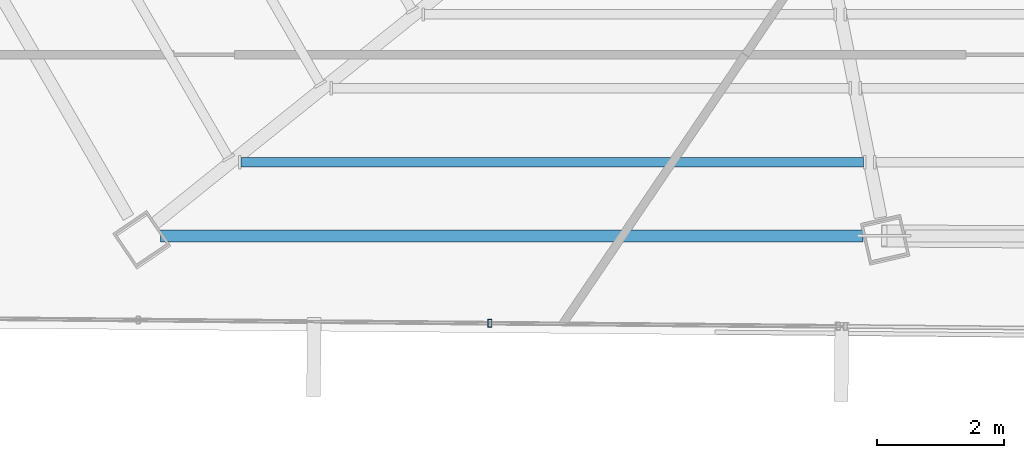
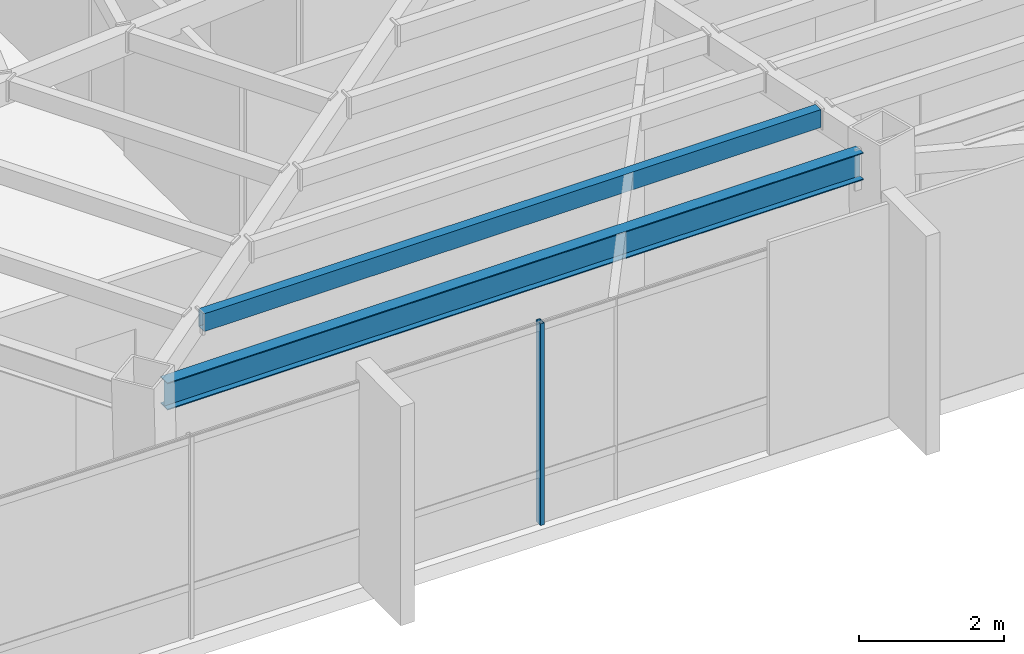
# One storey, part 5 of 47: 2 beams, 1 member, 1 element without a shape of its own.
"""IFC4 building model written with IfcOpenShell, lengths in metres."""

from ifc_helpers import new_model, si_unit, direction, frame, origin, origin_2d, place, context, subcontext, project, spatial, hollow_rectangle, i_section, extrude, source, transform, mapped, material, material_profile, profile_set, type_object, type_shapes, element, aggregate, save


model = new_model("IFC4")

# Units and contexts
model_context = context("Model", 3, precision=1e-05, world=origin(), true_north=direction((0.0, 1.0)))
body_context = subcontext(model_context, "Body", "Model", "MODEL_VIEW")
ifc_project = project(units=[si_unit("LENGTHUNIT", "METRE"), si_unit("AREAUNIT", "SQUARE_METRE"), si_unit("VOLUMEUNIT", "CUBIC_METRE"), si_unit("PLANEANGLEUNIT", "RADIAN"), si_unit("MASSUNIT", "GRAM", prefix="KILO")], contexts=[model_context])

# Site, building, storey
site_placement = place(None, origin())
site = spatial("IfcSite", under=ifc_project, at=site_placement, CompositionType="ELEMENT")
building_placement = place(site_placement, origin())
building = spatial("IfcBuilding", under=site, at=building_placement, Name="Caelisora Broadcast Tower", CompositionType="ELEMENT")
storey_placement = place(building_placement, frame((0.0, 0.0, 248.10009765625)))
storey = spatial("IfcBuildingStorey", under=building, at=storey_placement, Name="L65", CompositionType="ELEMENT", Elevation=248.10009765625)

# Beams
ifc_material_1 = material(Name="Steel Grade 350 (AS/NZS 3679.1)", Category="steel")
ifc_material_profile_1 = material_profile(ifc_material_1, i_section(OverallWidth=0.19091796875, OverallDepth=0.46044921875, WebThickness=0.010009765625, FlangeThickness=0.01611328125, at=origin_2d()), Name="Steel Grade 350 (AS/NZS 3679.1)")
ifc_profile_set_1 = profile_set([ifc_material_profile_1], Name="Steel Grade 350 (AS/NZS 3679.1)")
beam_type_1 = type_object("IfcBeamType", Name="PG06", PredefinedType="BEAM", material=ifc_profile_set_1)
shared_shape_1 = source(origin(), body_context, "Body", "SweptSolid", [
    extrude(i_section(OverallWidth=0.19091796875, OverallDepth=0.46044921875, WebThickness=0.010009765625, FlangeThickness=0.01611328125, at=origin_2d()), origin(), (0.0, 0.0, 1.0), 11.091552734375),
])
type_shapes(beam_type_1, [shared_shape_1])
beam_1_placement = place(storey_placement, frame((20.686767578125, 9.23974609375, 3.169677734375), z_axis=(1.0, 0.0, 0.0), x_axis=(0.0, 1.0, 0.0)))
element("IfcBeam", 1, at=beam_1_placement, inside=storey, type_object=beam_type_1, Name="L65 beam PG06", PredefinedType="BEAM", context=body_context, shape_type="MappedRepresentation", body=[
    mapped(shared_shape_1, transform((0.0, 0.0, 0.0), scale=1.0)),
])
ifc_material_2 = material(Name="Steel Grade 350 (AS/NZS 1163 C350L0)", Category="steel")
ifc_material_profile_2 = material_profile(ifc_material_2, hollow_rectangle(XDim=0.14990234375, YDim=0.300048828125, WallThickness=0.010009765625, at=origin_2d()), Name="Steel Grade 350 (AS/NZS 1163 C350L0)")
ifc_profile_set_2 = profile_set([ifc_material_profile_2], Name="Steel Grade 350 (AS/NZS 1163 C350L0)")
beam_type_2 = type_object("IfcBeamType", Name="SB05", PredefinedType="JOIST", material=ifc_profile_set_2)
shared_shape_2 = source(origin(), body_context, "Body", "SweptSolid", [
    extrude(hollow_rectangle(XDim=0.14990234375, YDim=0.300048828125, WallThickness=0.010009765625, at=origin_2d()), origin(), (0.0, 0.0, 1.0), 9.8310546875),
])
type_shapes(beam_type_2, [shared_shape_2])
beam_2_placement = place(storey_placement, frame((21.95556640625, 10.405517578125, 3.25), z_axis=(1.0, 0.0, 0.0), x_axis=(0.0, 1.0, 0.0)))
element("IfcBeam", 2, at=beam_2_placement, inside=storey, type_object=beam_type_2, Name="L65 beam SB05", PredefinedType="JOIST", context=body_context, shape_type="MappedRepresentation", body=[
    mapped(shared_shape_2, transform((0.0, 0.0, 0.0), scale=1.0)),
])

# Curtain wall, member
ifc_material_3 = material(Name="Unitised Aluminium and Low-E Glass Curtain Wall", Category="glass")
curtain_wall_type = type_object("IfcCurtainWallType", Name="CW-Z5", PredefinedType="NOTDEFINED", material=ifc_material_3)
curtain_wall_placement = place(storey_placement, origin())
curtain_wall = element("IfcCurtainWall", 3, at=curtain_wall_placement, inside=storey, type_object=curtain_wall_type, Name="L65 curtain wall CW-Z5", PredefinedType="NOTDEFINED")
ifc_material_4 = material(Name="Aluminium 6063-T6 Anodised Terracotta Bronze", Category="aluminium")
ifc_material_profile_3 = material_profile(ifc_material_4, hollow_rectangle(XDim=0.06005859375, YDim=0.1201171875, WallThickness=0.0029296875, at=origin_2d()), Name="Aluminium 6063-T6 Anodised Terracotta Bronze")
ifc_profile_set_3 = profile_set([ifc_material_profile_3], Name="Aluminium 6063-T6 Anodised Terracotta Bronze")
member_type = type_object("IfcMemberType", Name="CWM-04", PredefinedType="MULLION", material=ifc_profile_set_3)
shared_shape_3 = source(origin(), body_context, "Body", "SweptSolid", [
    extrude(hollow_rectangle(XDim=0.06005859375, YDim=0.1201171875, WallThickness=0.0029296875, at=origin_2d()), origin(), (0.0, 0.0, 1.0), 3.39990234375),
])
type_shapes(member_type, [shared_shape_3])
member_placement = place(storey_placement, frame((25.886962890625, 7.861572265625, 0.0), z_axis=(0.0, 0.0, 1.0), x_axis=(1.0, 0.0, 0.0)))
member = element("IfcMember", 4, at=member_placement, type_object=member_type, Name="L65-CW-B07 mullion #1", PredefinedType="MULLION", context=body_context, shape_type="MappedRepresentation", body=[
    mapped(shared_shape_3, transform((0.0, 0.0, 0.0), scale=1.0)),
])
aggregate(curtain_wall, [member])

save(model, "model.ifc")
